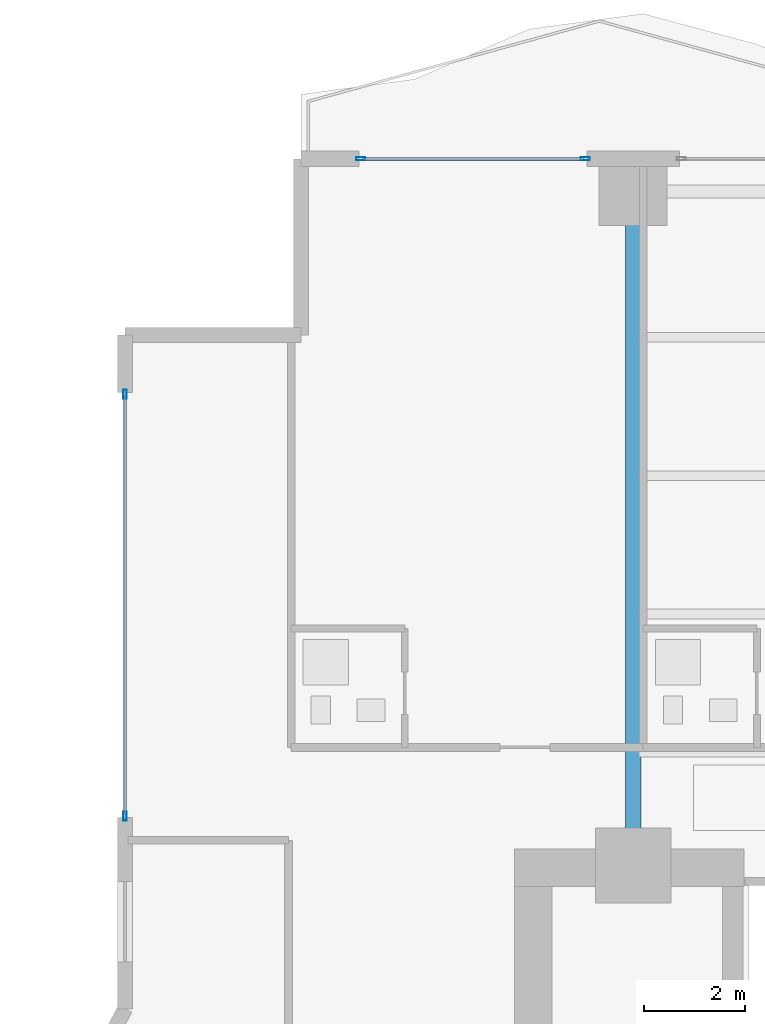
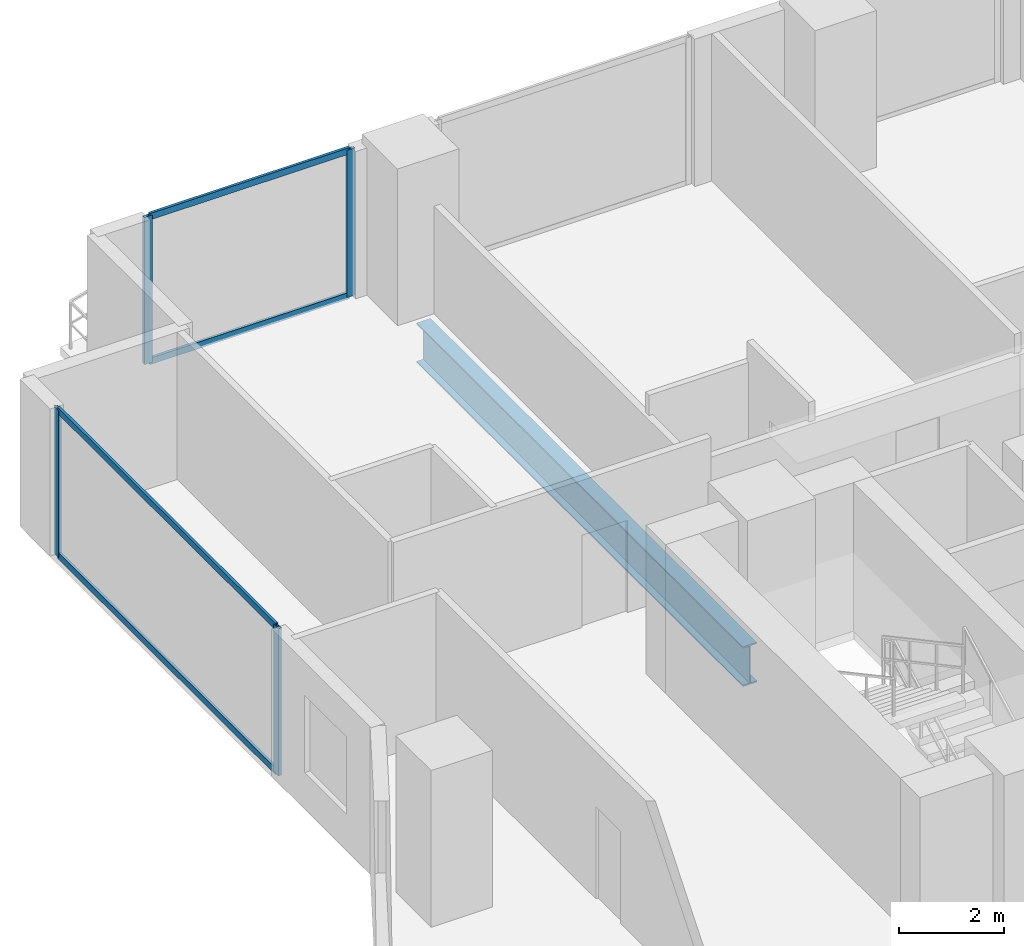
# One storey, part 14 of 29: 8 members, 1 beam, 2 elements without a shape of their own.
"""IFC4 building model written with IfcOpenShell, lengths in metres."""

import ifcopenshell
import ifcopenshell.guid

model = None  # the IFC model being written
_history = None  # IfcOwnerHistory: only IFC2X3 demands one
_inside = {}  # id of a spatial element -> (the spatial element, [elements in it])
_under = {}  # id of a project, library or spatial element -> (it, [spatial elements below it])
_declared = {}  # id of a project -> (the project, [libraries it declares])
_typed = {}  # id of a type object -> (the type object, [elements of that type])
_made_of = {}  # id of a material, layer set ... -> (it, [elements and type objects made of it])


def new_model(schema):
    """Start an empty IFC model of exactly this schema.

    Asked for "IFC4X3", IfcOpenShell would pick the latest addendum, in which some entities
    have other attributes; the version numbers below select the first issue.
    IFC2X3 requires an IfcOwnerHistory on every rooted entity: one is made here for all.
    """
    global model, _history
    if schema == "IFC4X3":
        model = ifcopenshell.file(schema_version=(4, 3, 0, 0))
    else:
        model = ifcopenshell.file(schema=schema)
    _inside.clear()
    _under.clear()
    _declared.clear()
    _typed.clear()
    _made_of.clear()
    _history = None
    if model.schema == "IFC2X3":
        org = make("IfcOrganization", Name="unknown")
        user = make(
            "IfcPersonAndOrganization",
            ThePerson=make("IfcPerson", FamilyName="unknown"),
            TheOrganization=org,
        )
        app = make(
            "IfcApplication",
            ApplicationDeveloper=org,
            Version="unknown",
            ApplicationFullName="unknown",
            ApplicationIdentifier="unknown",
        )
        _history = make(
            "IfcOwnerHistory",
            OwningUser=user,
            OwningApplication=app,
            ChangeAction="ADDED",
            CreationDate=0,
        )
    return model


def make(cls, **values):
    """One entity of the class cls with the attributes given. An attribute that is None is left unset."""
    return model.create_entity(
        cls, **{name: value for name, value in values.items() if value is not None}
    )


def rooted(cls, **values):
    """An entity with a GlobalId (a new one), such as an element, a storey or a relation."""
    return make(cls, GlobalId=ifcopenshell.guid.new(), OwnerHistory=_history, **values)


def si_unit(unit_type, name, prefix=None):
    """IfcSIUnit, for example si_unit("LENGTHUNIT", "METRE", prefix="MILLI")."""
    return make("IfcSIUnit", UnitType=unit_type, Prefix=prefix, Name=name)


def assignment(units):
    """IfcUnitAssignment: the units of a project."""
    return None if units is None else make("IfcUnitAssignment", Units=units)


def point(xyz):
    """IfcCartesianPoint."""
    return None if xyz is None else make("IfcCartesianPoint", Coordinates=xyz)


def direction(xyz):
    """IfcDirection."""
    return None if xyz is None else make("IfcDirection", DirectionRatios=xyz)


def frame(location, z_axis=None, x_axis=None):
    """IfcAxis2Placement3D, a coordinate frame: its origin and axes. An axis left out is left unset."""
    return make(
        "IfcAxis2Placement3D",
        Location=point(location),
        Axis=direction(z_axis),
        RefDirection=direction(x_axis),
    )


def frame_2d(location, x_axis=None):
    """IfcAxis2Placement2D, a coordinate frame in the plane: its origin and x axis."""
    return make(
        "IfcAxis2Placement2D", Location=point(location), RefDirection=direction(x_axis)
    )


def origin():
    """The frame at (0, 0, 0) with its axes left unset."""
    return frame((0.0, 0.0, 0.0))


def origin_2d():
    """The frame at (0, 0) in the plane with its x axis left unset."""
    return frame_2d((0.0, 0.0))


def place(relative_to, where):
    """IfcLocalPlacement: puts the frame where relative to a parent placement (None: the world)."""
    return make(
        "IfcLocalPlacement", PlacementRelTo=relative_to, RelativePlacement=where
    )


def context(
    kind, dimensions, precision=None, world=None, true_north=None, identifier=None
):
    """IfcGeometricRepresentationContext, for example the 3D "Model" context."""
    return make(
        "IfcGeometricRepresentationContext",
        ContextIdentifier=identifier,
        ContextType=kind,
        CoordinateSpaceDimension=dimensions,
        Precision=precision,
        WorldCoordinateSystem=world,
        TrueNorth=true_north,
    )


def subcontext(parent, identifier, kind, view, scale=None):
    """IfcGeometricRepresentationSubContext, for example "Body" below "Model"."""
    return make(
        "IfcGeometricRepresentationSubContext",
        ContextIdentifier=identifier,
        ContextType=kind,
        ParentContext=parent,
        TargetScale=scale,
        TargetView=view,
    )


def project(units=None, contexts=None):
    """IfcProject with its units and contexts."""
    return rooted(
        "IfcProject",
        Name="project",
        RepresentationContexts=contexts,
        UnitsInContext=assignment(units),
    )


def spatial(cls, under=None, at=None, **own):
    """A site, building, storey or space (cls), placed at a placement, below another one or the project."""
    s = rooted(cls, ObjectPlacement=at, **own)
    if under is not None:
        _under.setdefault(under.id(), (under, []))[1].append(s)
    return s


def profile(cls, at=None, kind="AREA", **sizes):
    """A parametric profile (cls). Its sizes go by their IFC names, for example OverallWidth=200.0."""
    return make(cls, ProfileType=kind, Position=at, **sizes)


def hollow_rectangle(**sizes):
    """IfcRectangleHollowProfileDef."""
    return profile("IfcRectangleHollowProfileDef", **sizes)


def i_section(**sizes):
    """IfcIShapeProfileDef."""
    return profile("IfcIShapeProfileDef", **sizes)


def extrude(swept, where, along, depth):
    """IfcExtrudedAreaSolid: the profile swept, set in the frame where, extruded along a direction by depth."""
    return make(
        "IfcExtrudedAreaSolid",
        SweptArea=swept,
        Position=where,
        ExtrudedDirection=direction(along),
        Depth=depth,
    )


def shape(context_of_items, identifier, shape_type, items):
    """IfcShapeRepresentation: the items that make up one representation, for example the "Body"."""
    return make(
        "IfcShapeRepresentation",
        ContextOfItems=context_of_items,
        RepresentationIdentifier=identifier,
        RepresentationType=shape_type,
        Items=items,
    )


def material(Name=None, Category=None):
    """IfcMaterial."""
    return make("IfcMaterial", Name=Name, Category=Category)


def layer(
    of_material, thickness, ventilated=None, Name=None, Category=None, Priority=None
):
    """IfcMaterialLayer: one layer of a wall or slab, of a material (None: an air gap)."""
    return make(
        "IfcMaterialLayer",
        Material=of_material,
        LayerThickness=thickness,
        IsVentilated=ventilated,
        Name=Name,
        Category=Category,
        Priority=Priority,
    )


def layer_set(layers, Name=None):
    """IfcMaterialLayerSet."""
    return make("IfcMaterialLayerSet", MaterialLayers=layers, LayerSetName=Name)


def material_profile(
    of_material, cross_section, Name=None, Category=None, Priority=None
):
    """IfcMaterialProfile: a cross section and its material."""
    return make(
        "IfcMaterialProfile",
        Name=Name,
        Material=of_material,
        Profile=cross_section,
        Priority=Priority,
        Category=Category,
    )


def profile_set(profiles, Name=None, composite=None):
    """IfcMaterialProfileSet."""
    return make(
        "IfcMaterialProfileSet",
        Name=Name,
        MaterialProfiles=profiles,
        CompositeProfile=composite,
    )


def made_of(thing, what):
    """Note that an element or type object is made of a material, layer set ...; save() writes the relation."""
    if what is not None:
        _made_of.setdefault(what.id(), (what, []))[1].append(thing)
    return thing


def type_object(cls, material=None, **own):
    """A type object (cls), such as IfcWallType, which elements share."""
    return made_of(rooted(cls, **own), material)


def element(
    cls,
    number,
    at=None,
    inside=None,
    cuts=None,
    type_object=None,
    material=None,
    context=None,
    identifier="Body",
    shape_type=None,
    held_by="IfcProductDefinitionShape",
    body=None,
    shapes=None,
    **own,
):
    """One element of the class cls, such as IfcWall. Its Tag is "e" and its number.

    at: its placement. inside: the storey or other place that contains it. cuts: it is an
    opening in that element (IfcRelVoidsElement). A single representation is given by context,
    identifier, shape_type and body (its items); several are given by shapes. held_by: the class
    of the entity that holds the representations. save() writes the other relations.
    """
    e = rooted(cls, Tag="e%d" % number, ObjectPlacement=at, **own)
    if body is not None:
        shapes = [shape(context, identifier, shape_type, body)]
    if shapes is not None:
        e.Representation = make(held_by, Representations=shapes)
    if inside is not None:
        _inside.setdefault(inside.id(), (inside, []))[1].append(e)
    if cuts is not None:
        rooted(
            "IfcRelVoidsElement", RelatingBuildingElement=cuts, RelatedOpeningElement=e
        )
    if type_object is not None:
        _typed.setdefault(type_object.id(), (type_object, []))[1].append(e)
    return made_of(e, material)


def aggregate(whole, parts):
    """IfcRelAggregates: a whole, such as a stair, and the parts it consists of."""
    return rooted("IfcRelAggregates", RelatingObject=whole, RelatedObjects=parts)


def save(model, path):
    """Write the relations noted so far, then the file.

    IfcRelAggregates (storeys below a building ...), IfcRelContainedInSpatialStructure (elements
    in a storey), IfcRelDefinesByType, IfcRelAssociatesMaterial and IfcRelDeclares: one each for
    every whole, place, type object, material and project.
    """
    for whole, parts in _under.values():
        aggregate(whole, parts)
    for where, things in _inside.values():
        rooted(
            "IfcRelContainedInSpatialStructure",
            RelatedElements=things,
            RelatingStructure=where,
        )
    for kind, things in _typed.values():
        rooted("IfcRelDefinesByType", RelatedObjects=things, RelatingType=kind)
    for what, things in _made_of.values():
        rooted("IfcRelAssociatesMaterial", RelatedObjects=things, RelatingMaterial=what)
    for by, libraries in _declared.values():
        rooted("IfcRelDeclares", RelatingContext=by, RelatedDefinitions=libraries)
    model.write(path)


model = new_model("IFC4")

# Units and contexts
model_context = context("Model", 3, precision=1e-05, world=origin(), true_north=direction((0.0, 1.0)))
body_context = subcontext(model_context, "Body", "Model", "MODEL_VIEW")
ifc_project = project(units=[si_unit("LENGTHUNIT", "METRE"), si_unit("AREAUNIT", "SQUARE_METRE"), si_unit("VOLUMEUNIT", "CUBIC_METRE"), si_unit("PLANEANGLEUNIT", "RADIAN"), si_unit("MASSUNIT", "GRAM", prefix="KILO")], contexts=[model_context])

# Site, building, storey
site_placement = place(None, origin())
site = spatial("IfcSite", under=ifc_project, at=site_placement, CompositionType="ELEMENT")
building_placement = place(site_placement, origin())
building = spatial("IfcBuilding", under=site, at=building_placement, Name="Zuhayl Quay Hotel", CompositionType="ELEMENT")
storey_placement = place(building_placement, frame((0.0, 0.0, 132.14990234375)))
storey = spatial("IfcBuildingStorey", under=building, at=storey_placement, Name="L33", CompositionType="ELEMENT", Elevation=132.14990234375)

# Beam
ifc_material_1 = material(Name="Steel ASTM A992 Grade 50", Category="steel")
ifc_material_profile_1 = material_profile(ifc_material_1, i_section(OverallWidth=0.306884765625, OverallDepth=0.927001953125, WebThickness=0.019287109375, FlangeThickness=0.031982421875, at=origin_2d()), Name="W36X194")
ifc_profile_set_1 = profile_set([ifc_material_profile_1], Name="Steel ASTM A992 Grade 50")
beam_type = type_object("IfcBeamType", Name="BM_PG2_W36X194", PredefinedType="BEAM", material=ifc_profile_set_1)
beam_placement = place(storey_placement, frame((-13.800048828125, 14.800048828125, -0.683349609375), z_axis=(0.0, 1.0, 0.0), x_axis=(-1.0, 0.0, 0.0)))
element("IfcBeam", 1, at=beam_placement, inside=storey, type_object=beam_type, Name="L33 Floor Beam FG_N_L33_1", PredefinedType="BEAM", context=body_context, shape_type="SweptSolid", body=[
    extrude(i_section(OverallWidth=0.306884765625, OverallDepth=0.927001953125, WebThickness=0.019287109375, FlangeThickness=0.031982421875, at=origin_2d()), origin(), (0.0, 0.0, 1.0), 12.449951171875),
])

# Curtain wall, members
ifc_material_2 = material(Name="Anodised Aluminium 6063-T6", Category="aluminium")
ifc_layer = layer(ifc_material_2, 0.179931640625, Name="Anodised Aluminium 6063-T6", Category="aluminium")
ifc_layer_set = layer_set([ifc_layer], Name="Anodised Aluminium 6063-T6")
curtain_wall_type = type_object("IfcCurtainWallType", Name="CW_SYS_Z2", PredefinedType="USERDEFINED", material=ifc_layer_set)
curtain_wall_1_placement = place(storey_placement, origin())
curtain_wall_1 = element("IfcCurtainWall", 2, at=curtain_wall_1_placement, inside=storey, type_object=curtain_wall_type, Name="L33 Curtain Wall ENV_L33_E05_CW1", ObjectType="UNITISED CURTAIN WALL", PredefinedType="USERDEFINED")
ifc_material_3 = material(Name="Black-anodised aluminium 6063-T6", Category="aluminium")
ifc_material_profile_2 = material_profile(ifc_material_3, hollow_rectangle(XDim=0.06494140625, YDim=0.179931640625, WallThickness=0.00341796875, at=origin_2d()), Name="ALU180X65")
ifc_profile_set_2 = profile_set([ifc_material_profile_2], Name="Black-anodised aluminium 6063-T6")
member_type_1 = type_object("IfcMemberType", Name="MB_CW_MUL_180", PredefinedType="MULLION", material=ifc_profile_set_2)
member_1_placement = place(storey_placement, frame((-23.89990234375, 15.33251953125, 0.0), z_axis=(0.0, 0.0, 1.0), x_axis=(-1.0, 0.0, 0.0)))
member_1 = element("IfcMember", 3, at=member_1_placement, type_object=member_type_1, Name="CW-Z2 mullion 1", PredefinedType="MULLION", context=body_context, shape_type="SweptSolid", body=[
    extrude(hollow_rectangle(XDim=0.06494140625, YDim=0.179931640625, WallThickness=0.00341796875, at=origin_2d()), origin(), (0.0, 0.0, 1.0), 3.43017578125),
])
member_2_placement = place(storey_placement, frame((-23.89990234375, 23.717529296875, 0.0), z_axis=(0.0, 0.0, 1.0), x_axis=(-1.0, 0.0, 0.0)))
member_2 = element("IfcMember", 4, at=member_2_placement, type_object=member_type_1, Name="CW-Z2 mullion 2", PredefinedType="MULLION", context=body_context, shape_type="SweptSolid", body=[
    extrude(hollow_rectangle(XDim=0.06494140625, YDim=0.179931640625, WallThickness=0.00341796875, at=origin_2d()), origin(), (0.0, 0.0, 1.0), 3.43017578125),
])

curtain_wall_2_placement = place(storey_placement, origin())
curtain_wall_2 = element("IfcCurtainWall", 5, at=curtain_wall_2_placement, inside=storey, type_object=curtain_wall_type, Name="L33 Curtain Wall ENV_L33_N_CW1", ObjectType="UNITISED CURTAIN WALL", PredefinedType="USERDEFINED")
member_3_placement = place(storey_placement, frame((-19.217529296875, 28.39990234375, 0.0), z_axis=(0.0, 0.0, 1.0), x_axis=(0.0, 1.0, 0.0)))
member_3 = element("IfcMember", 6, at=member_3_placement, type_object=member_type_1, Name="CW-Z2 mullion 1", PredefinedType="MULLION", context=body_context, shape_type="SweptSolid", body=[
    extrude(hollow_rectangle(XDim=0.06494140625, YDim=0.179931640625, WallThickness=0.00341796875, at=origin_2d()), origin(), (0.0, 0.0, 1.0), 3.43017578125),
])
member_4_placement = place(storey_placement, frame((-14.75244140625, 28.39990234375, 0.0), z_axis=(0.0, 0.0, 1.0), x_axis=(0.0, 1.0, 0.0)))
member_4 = element("IfcMember", 7, at=member_4_placement, type_object=member_type_1, Name="CW-Z2 mullion 2", PredefinedType="MULLION", context=body_context, shape_type="SweptSolid", body=[
    extrude(hollow_rectangle(XDim=0.06494140625, YDim=0.179931640625, WallThickness=0.00341796875, at=origin_2d()), origin(), (0.0, 0.0, 1.0), 3.43017578125),
])

# Member
ifc_material_profile_3 = material_profile(ifc_material_3, hollow_rectangle(XDim=0.06005859375, YDim=0.14990234375, WallThickness=0.00341796875, at=origin_2d()), Name="ALU150X60")
ifc_profile_set_3 = profile_set([ifc_material_profile_3], Name="Black-anodised aluminium 6063-T6")
member_type_2 = type_object("IfcMemberType", Name="MB_CW_TRN_150", PredefinedType="USERDEFINED", material=ifc_profile_set_3)
member_5_placement = place(storey_placement, frame((-23.89990234375, 15.364990234375, 0.030029296875), z_axis=(0.0, 1.0, 0.0), x_axis=(-1.0, 0.0, 0.0)))
member_5 = element("IfcMember", 8, at=member_5_placement, type_object=member_type_2, Name="CW-Z2 transom 1.1", ObjectType="TRANSOM", PredefinedType="USERDEFINED", context=body_context, shape_type="SweptSolid", body=[
    extrude(hollow_rectangle(XDim=0.06005859375, YDim=0.14990234375, WallThickness=0.00341796875, at=origin_2d()), origin(), (0.0, 0.0, 1.0), 8.320068359375),
])

member_6_placement = place(storey_placement, frame((-23.89990234375, 15.364990234375, 3.400146484375), z_axis=(0.0, 1.0, 0.0), x_axis=(-1.0, 0.0, 0.0)))
member_6 = element("IfcMember", 9, at=member_6_placement, type_object=member_type_2, Name="CW-Z2 transom 1.2", ObjectType="TRANSOM", PredefinedType="USERDEFINED", context=body_context, shape_type="SweptSolid", body=[
    extrude(hollow_rectangle(XDim=0.06005859375, YDim=0.14990234375, WallThickness=0.00341796875, at=origin_2d()), origin(), (0.0, 0.0, 1.0), 8.320068359375),
])

aggregate(curtain_wall_1, [member_1, member_2, member_5, member_6])

member_7_placement = place(storey_placement, frame((-19.18505859375, 28.39990234375, 0.030029296875), z_axis=(1.0, 0.0, 0.0), x_axis=(0.0, 1.0, 0.0)))
member_7 = element("IfcMember", 10, at=member_7_placement, type_object=member_type_2, Name="CW-Z2 transom 1.1", ObjectType="TRANSOM", PredefinedType="USERDEFINED", context=body_context, shape_type="SweptSolid", body=[
    extrude(hollow_rectangle(XDim=0.06005859375, YDim=0.14990234375, WallThickness=0.00341796875, at=origin_2d()), origin(), (0.0, 0.0, 1.0), 4.400146484375),
])

member_8_placement = place(storey_placement, frame((-19.18505859375, 28.39990234375, 3.400146484375), z_axis=(1.0, 0.0, 0.0), x_axis=(0.0, 1.0, 0.0)))
member_8 = element("IfcMember", 11, at=member_8_placement, type_object=member_type_2, Name="CW-Z2 transom 1.2", ObjectType="TRANSOM", PredefinedType="USERDEFINED", context=body_context, shape_type="SweptSolid", body=[
    extrude(hollow_rectangle(XDim=0.06005859375, YDim=0.14990234375, WallThickness=0.00341796875, at=origin_2d()), origin(), (0.0, 0.0, 1.0), 4.400146484375),
])

aggregate(curtain_wall_2, [member_3, member_4, member_7, member_8])

save(model, "model.ifc")
